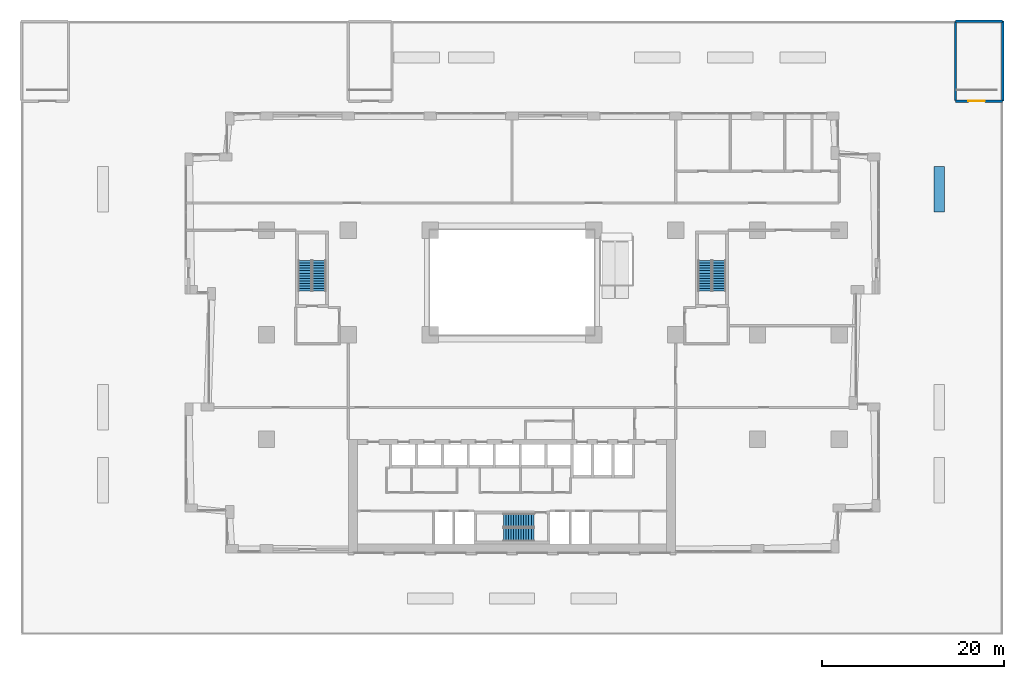
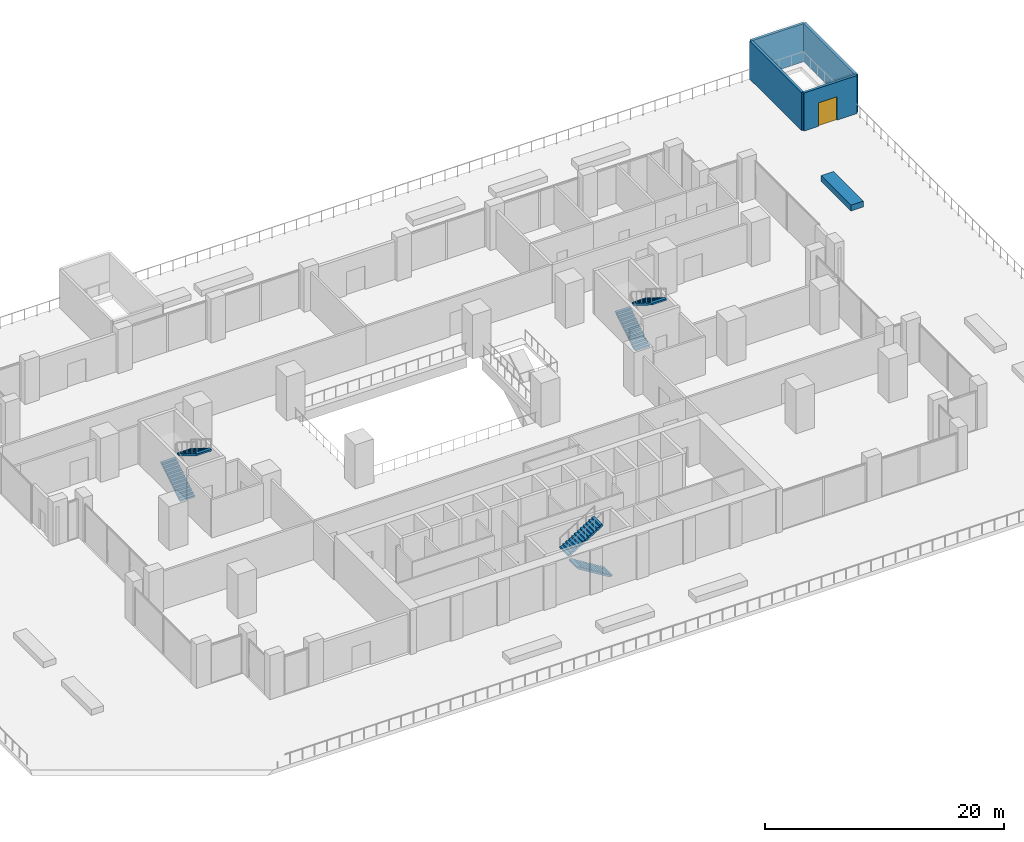
# One storey, part 16 of 19: 6 stair flights, 5 walls, 1 door, 1 opening, 3 elements without a shape of their own.
"""IFC4 building model written with IfcOpenShell, lengths in metres."""

import ifcopenshell
import ifcopenshell.guid

model = None  # the IFC model being written
_history = None  # IfcOwnerHistory: only IFC2X3 demands one
_inside = {}  # id of a spatial element -> (the spatial element, [elements in it])
_under = {}  # id of a project, library or spatial element -> (it, [spatial elements below it])
_declared = {}  # id of a project -> (the project, [libraries it declares])
_typed = {}  # id of a type object -> (the type object, [elements of that type])
_made_of = {}  # id of a material, layer set ... -> (it, [elements and type objects made of it])


def new_model(schema):
    """Start an empty IFC model of exactly this schema.

    Asked for "IFC4X3", IfcOpenShell would pick the latest addendum, in which some entities
    have other attributes; the version numbers below select the first issue.
    IFC2X3 requires an IfcOwnerHistory on every rooted entity: one is made here for all.
    """
    global model, _history
    if schema == "IFC4X3":
        model = ifcopenshell.file(schema_version=(4, 3, 0, 0))
    else:
        model = ifcopenshell.file(schema=schema)
    _inside.clear()
    _under.clear()
    _declared.clear()
    _typed.clear()
    _made_of.clear()
    _history = None
    if model.schema == "IFC2X3":
        org = make("IfcOrganization", Name="unknown")
        user = make(
            "IfcPersonAndOrganization",
            ThePerson=make("IfcPerson", FamilyName="unknown"),
            TheOrganization=org,
        )
        app = make(
            "IfcApplication",
            ApplicationDeveloper=org,
            Version="unknown",
            ApplicationFullName="unknown",
            ApplicationIdentifier="unknown",
        )
        _history = make(
            "IfcOwnerHistory",
            OwningUser=user,
            OwningApplication=app,
            ChangeAction="ADDED",
            CreationDate=0,
        )
    return model


def make(cls, **values):
    """One entity of the class cls with the attributes given. An attribute that is None is left unset."""
    return model.create_entity(
        cls, **{name: value for name, value in values.items() if value is not None}
    )


def rooted(cls, **values):
    """An entity with a GlobalId (a new one), such as an element, a storey or a relation."""
    return make(cls, GlobalId=ifcopenshell.guid.new(), OwnerHistory=_history, **values)


def si_unit(unit_type, name, prefix=None):
    """IfcSIUnit, for example si_unit("LENGTHUNIT", "METRE", prefix="MILLI")."""
    return make("IfcSIUnit", UnitType=unit_type, Prefix=prefix, Name=name)


def assignment(units):
    """IfcUnitAssignment: the units of a project."""
    return None if units is None else make("IfcUnitAssignment", Units=units)


def point(xyz):
    """IfcCartesianPoint."""
    return None if xyz is None else make("IfcCartesianPoint", Coordinates=xyz)


def direction(xyz):
    """IfcDirection."""
    return None if xyz is None else make("IfcDirection", DirectionRatios=xyz)


def frame(location, z_axis=None, x_axis=None):
    """IfcAxis2Placement3D, a coordinate frame: its origin and axes. An axis left out is left unset."""
    return make(
        "IfcAxis2Placement3D",
        Location=point(location),
        Axis=direction(z_axis),
        RefDirection=direction(x_axis),
    )


def frame_2d(location, x_axis=None):
    """IfcAxis2Placement2D, a coordinate frame in the plane: its origin and x axis."""
    return make(
        "IfcAxis2Placement2D", Location=point(location), RefDirection=direction(x_axis)
    )


def origin():
    """The frame at (0, 0, 0) with its axes left unset."""
    return frame((0.0, 0.0, 0.0))


def place(relative_to, where):
    """IfcLocalPlacement: puts the frame where relative to a parent placement (None: the world)."""
    return make(
        "IfcLocalPlacement", PlacementRelTo=relative_to, RelativePlacement=where
    )


def context(
    kind, dimensions, precision=None, world=None, true_north=None, identifier=None
):
    """IfcGeometricRepresentationContext, for example the 3D "Model" context."""
    return make(
        "IfcGeometricRepresentationContext",
        ContextIdentifier=identifier,
        ContextType=kind,
        CoordinateSpaceDimension=dimensions,
        Precision=precision,
        WorldCoordinateSystem=world,
        TrueNorth=true_north,
    )


def subcontext(parent, identifier, kind, view, scale=None):
    """IfcGeometricRepresentationSubContext, for example "Body" below "Model"."""
    return make(
        "IfcGeometricRepresentationSubContext",
        ContextIdentifier=identifier,
        ContextType=kind,
        ParentContext=parent,
        TargetScale=scale,
        TargetView=view,
    )


def project(units=None, contexts=None):
    """IfcProject with its units and contexts."""
    return rooted(
        "IfcProject",
        Name="project",
        RepresentationContexts=contexts,
        UnitsInContext=assignment(units),
    )


def spatial(cls, under=None, at=None, **own):
    """A site, building, storey or space (cls), placed at a placement, below another one or the project."""
    s = rooted(cls, ObjectPlacement=at, **own)
    if under is not None:
        _under.setdefault(under.id(), (under, []))[1].append(s)
    return s


def polyline(points):
    """IfcPolyline through the points."""
    return make("IfcPolyline", Points=[point(p) for p in points])


def profile(cls, at=None, kind="AREA", **sizes):
    """A parametric profile (cls). Its sizes go by their IFC names, for example OverallWidth=200.0."""
    return make(cls, ProfileType=kind, Position=at, **sizes)


def rectangle(**sizes):
    """IfcRectangleProfileDef."""
    return profile("IfcRectangleProfileDef", **sizes)


def outline(outer, holes=None, kind="AREA"):
    """IfcArbitraryClosedProfileDef: a profile drawn as a closed curve; with holes, ...WithVoids."""
    if holes is None:
        return make("IfcArbitraryClosedProfileDef", ProfileType=kind, OuterCurve=outer)
    return make(
        "IfcArbitraryProfileDefWithVoids",
        ProfileType=kind,
        OuterCurve=outer,
        InnerCurves=holes,
    )


def extrude(swept, where, along, depth):
    """IfcExtrudedAreaSolid: the profile swept, set in the frame where, extruded along a direction by depth."""
    return make(
        "IfcExtrudedAreaSolid",
        SweptArea=swept,
        Position=where,
        ExtrudedDirection=direction(along),
        Depth=depth,
    )


def shape(context_of_items, identifier, shape_type, items):
    """IfcShapeRepresentation: the items that make up one representation, for example the "Body"."""
    return make(
        "IfcShapeRepresentation",
        ContextOfItems=context_of_items,
        RepresentationIdentifier=identifier,
        RepresentationType=shape_type,
        Items=items,
    )


def material(Name=None, Category=None):
    """IfcMaterial."""
    return make("IfcMaterial", Name=Name, Category=Category)


def layer(
    of_material, thickness, ventilated=None, Name=None, Category=None, Priority=None
):
    """IfcMaterialLayer: one layer of a wall or slab, of a material (None: an air gap)."""
    return make(
        "IfcMaterialLayer",
        Material=of_material,
        LayerThickness=thickness,
        IsVentilated=ventilated,
        Name=Name,
        Category=Category,
        Priority=Priority,
    )


def layer_set(layers, Name=None):
    """IfcMaterialLayerSet."""
    return make("IfcMaterialLayerSet", MaterialLayers=layers, LayerSetName=Name)


def made_of(thing, what):
    """Note that an element or type object is made of a material, layer set ...; save() writes the relation."""
    if what is not None:
        _made_of.setdefault(what.id(), (what, []))[1].append(thing)
    return thing


def type_object(cls, material=None, **own):
    """A type object (cls), such as IfcWallType, which elements share."""
    return made_of(rooted(cls, **own), material)


def element(
    cls,
    number,
    at=None,
    inside=None,
    cuts=None,
    type_object=None,
    material=None,
    context=None,
    identifier="Body",
    shape_type=None,
    held_by="IfcProductDefinitionShape",
    body=None,
    shapes=None,
    **own,
):
    """One element of the class cls, such as IfcWall. Its Tag is "e" and its number.

    at: its placement. inside: the storey or other place that contains it. cuts: it is an
    opening in that element (IfcRelVoidsElement). A single representation is given by context,
    identifier, shape_type and body (its items); several are given by shapes. held_by: the class
    of the entity that holds the representations. save() writes the other relations.
    """
    e = rooted(cls, Tag="e%d" % number, ObjectPlacement=at, **own)
    if body is not None:
        shapes = [shape(context, identifier, shape_type, body)]
    if shapes is not None:
        e.Representation = make(held_by, Representations=shapes)
    if inside is not None:
        _inside.setdefault(inside.id(), (inside, []))[1].append(e)
    if cuts is not None:
        rooted(
            "IfcRelVoidsElement", RelatingBuildingElement=cuts, RelatedOpeningElement=e
        )
    if type_object is not None:
        _typed.setdefault(type_object.id(), (type_object, []))[1].append(e)
    return made_of(e, material)


def fill(opening, filler):
    """IfcRelFillsElement: the door or window that sits in an opening."""
    return rooted(
        "IfcRelFillsElement",
        RelatingOpeningElement=opening,
        RelatedBuildingElement=filler,
    )


def aggregate(whole, parts):
    """IfcRelAggregates: a whole, such as a stair, and the parts it consists of."""
    return rooted("IfcRelAggregates", RelatingObject=whole, RelatedObjects=parts)


def save(model, path):
    """Write the relations noted so far, then the file.

    IfcRelAggregates (storeys below a building ...), IfcRelContainedInSpatialStructure (elements
    in a storey), IfcRelDefinesByType, IfcRelAssociatesMaterial and IfcRelDeclares: one each for
    every whole, place, type object, material and project.
    """
    for whole, parts in _under.values():
        aggregate(whole, parts)
    for where, things in _inside.values():
        rooted(
            "IfcRelContainedInSpatialStructure",
            RelatedElements=things,
            RelatingStructure=where,
        )
    for kind, things in _typed.values():
        rooted("IfcRelDefinesByType", RelatedObjects=things, RelatingType=kind)
    for what, things in _made_of.values():
        rooted("IfcRelAssociatesMaterial", RelatedObjects=things, RelatingMaterial=what)
    for by, libraries in _declared.values():
        rooted("IfcRelDeclares", RelatingContext=by, RelatedDefinitions=libraries)
    model.write(path)


model = new_model("IFC4")

# Units and contexts
model_context = context("Model", 3, precision=1e-05, world=origin(), true_north=direction((0.0, 1.0)))
body_context = subcontext(model_context, "Body", "Model", "MODEL_VIEW")
ifc_project = project(units=[si_unit("LENGTHUNIT", "METRE"), si_unit("AREAUNIT", "SQUARE_METRE"), si_unit("VOLUMEUNIT", "CUBIC_METRE"), si_unit("PLANEANGLEUNIT", "RADIAN"), si_unit("MASSUNIT", "GRAM", prefix="KILO")], contexts=[model_context])

# Site, building, storey
site_placement = place(None, origin())
site = spatial("IfcSite", under=ifc_project, at=site_placement, CompositionType="ELEMENT")
building_placement = place(site_placement, origin())
building = spatial("IfcBuilding", under=site, at=building_placement, Name="Brigalow Station Residences", CompositionType="ELEMENT")
storey_placement = place(building_placement, frame((0.0, 0.0, 11.0)))
storey = spatial("IfcBuildingStorey", under=building, at=storey_placement, Name="L02", CompositionType="ELEMENT", Elevation=11.0)

# Walls
ifc_material_1 = material(Name="Concrete C50", Category="concrete")
ifc_layer_1 = layer(ifc_material_1, 1.199951171875)
ifc_layer_set_1 = layer_set([ifc_layer_1], Name="PLANTER 1200")
wall_type_1 = type_object("IfcWallType", Name="PLANTER 1200", PredefinedType="USERDEFINED", material=ifc_layer_set_1)
wall_1_placement = place(storey_placement, frame((83.0, 37.5, 0.0), z_axis=(0.0, 0.0, 1.0), x_axis=(0.0, 1.0, 0.0)))
element("IfcWall", 1, at=wall_1_placement, inside=storey, type_object=wall_type_1, Name="Planter TE3", ObjectType="PLANTER", PredefinedType="USERDEFINED", context=body_context, shape_type="SweptSolid", body=[
    extrude(rectangle(XDim=5.0, YDim=1.199951171875, at=frame_2d((2.5, 0.0))), origin(), (0.0, 0.0, 1.0), 0.60009765625),
])
ifc_material_2 = material(Name="Concrete C50", Category="concrete")
ifc_layer_2 = layer(ifc_material_2, 0.25)
ifc_layer_set_2 = layer_set([ifc_layer_2], Name="STAIR ROOF WALL 250")
wall_type_2 = type_object("IfcWallType", Name="STAIR ROOF WALL 250", PredefinedType="SOLIDWALL", material=ifc_layer_set_2)
wall_2_placement = place(storey_placement, frame((90.0, 49.699951171875, 0.0), z_axis=(0.0, 0.0, 1.0), x_axis=(0.0, 1.0, 0.0)))
element("IfcWall", 2, at=wall_2_placement, inside=storey, type_object=wall_type_2, Name="Stair Roof Wall 250 Exit Stair St-5 / TERRACE", PredefinedType="SOLIDWALL", context=body_context, shape_type="SweptSolid", body=[
    extrude(rectangle(XDim=8.800048828125, YDim=0.25, at=frame_2d((4.39990234375, 0.0))), origin(), (0.0, 0.0, 1.0), 3.89990234375),
])
wall_3_placement = place(storey_placement, frame((84.800048828125, 58.5, 0.0), z_axis=(0.0, 0.0, 1.0), x_axis=(1.0, 0.0, 0.0)))
element("IfcWall", 3, at=wall_3_placement, inside=storey, type_object=wall_type_2, Name="Stair Roof Wall 250 Exit Stair St-5 / TERRACE", PredefinedType="SOLIDWALL", context=body_context, shape_type="SweptSolid", body=[
    extrude(rectangle(XDim=5.155029296875, YDim=0.25, at=frame_2d((2.57763671875, 0.0))), origin(), (0.0, 0.0, 1.0), 3.89990234375),
])

# Wall, opening, door
wall_4_placement = place(storey_placement, frame((84.800048828125, 49.699951171875, 0.0), z_axis=(0.0, 0.0, 1.0), x_axis=(1.0, 0.0, 0.0)))
wall_4 = element("IfcWall", 4, at=wall_4_placement, inside=storey, type_object=wall_type_2, Name="Stair Roof Wall 250 Exit Stair St-5 / TERRACE", PredefinedType="SOLIDWALL", context=body_context, shape_type="SweptSolid", body=[
    extrude(rectangle(XDim=5.155029296875, YDim=0.25, at=frame_2d((2.57763671875, 0.0))), origin(), (0.0, 0.0, 1.0), 3.89990234375),
])
opening_placement = place(wall_4_placement, frame((1.4130859375, 0.0, 0.0)))
opening = element("IfcOpeningElement", 5, at=opening_placement, cuts=wall_4, Name="Opening D-7402", PredefinedType="OPENING", context=body_context, shape_type="SweptSolid", body=[
    extrude(rectangle(XDim=1.800048828125, YDim=2.39990234375, at=frame_2d((0.89990234375, 1.199951171875))), frame((0.0, 0.135009765625, 0.0), z_axis=(0.0, -1.0, 0.0), x_axis=(1.0, 0.0, 0.0)), (0.0, 0.0, 1.0), 0.27001953125),
])
ifc_material_3 = material(Name="Steel fire door leaves in steel frame", Category="steel")
door_type = type_object("IfcDoorType", Name="DOOR DOUBLE 1800 FIRE", OperationType="DOUBLE_DOOR_SINGLE_SWING", PredefinedType="DOOR", material=ifc_material_3)
door_placement = place(opening_placement, frame((1.800048828125, 0.0, 0.0), z_axis=(0.0, 0.0, 1.0), x_axis=(-1.0, 0.0, 0.0)))
door = element("IfcDoor", 6, at=door_placement, inside=storey, type_object=door_type, Name="Exit stair ST-5 terrace door", OperationType="DOUBLE_DOOR_SINGLE_SWING", OverallHeight=2.39990234375, OverallWidth=1.800048828125, PredefinedType="DOOR", context=body_context, shape_type="SweptSolid", body=[
    extrude(rectangle(XDim=1.800048828125, YDim=2.39990234375, at=frame_2d((0.89990234375, 1.199951171875))), frame((0.0, 0.02490234375, 0.0), z_axis=(0.0, -1.0, 0.0), x_axis=(1.0, 0.0, 0.0)), (0.0, 0.0, 1.0), 0.050048828125),
])
fill(opening, door)

# Wall
wall_5_placement = place(storey_placement, frame((84.800048828125, 49.7451171875, 0.0), z_axis=(0.0, 0.0, 1.0), x_axis=(0.0, 1.0, 0.0)))
element("IfcWall", 7, at=wall_5_placement, inside=storey, type_object=wall_type_2, Name="Stair Roof Wall 250 Exit Stair St-5 / TERRACE", PredefinedType="SOLIDWALL", context=body_context, shape_type="SweptSolid", body=[
    extrude(rectangle(XDim=8.7099609375, YDim=0.25, at=frame_2d((4.35498046875, 0.0))), origin(), (0.0, 0.0, 1.0), 3.89990234375),
])

# Stair, stair flights
ifc_material_4 = material(Name="Concrete C50", Category="concrete")
stair_type = type_object("IfcStairType", Name="EXIT STAIR 1400 2 FLIGHT", PredefinedType="HALF_TURN_STAIR", material=ifc_material_4)
stair_1_placement = place(storey_placement, origin())
stair_1 = element("IfcStair", 8, at=stair_1_placement, inside=storey, type_object=stair_type, Name="EXIT STAIR S2 L02", PredefinedType="HALF_TURN_STAIR")
ifc_material_5 = material(Name="Concrete C50", Category="concrete")
stair_flight_type = type_object("IfcStairFlightType", Name="STAIR FLIGHT 1400", PredefinedType="STRAIGHT", material=ifc_material_5)
stair_flight_1_placement = place(storey_placement, frame((38.39990234375, 2.0, 0.0), z_axis=(0.0, 0.0, 1.0), x_axis=(-1.0, 0.0, 0.0)))
stair_flight_1 = element("IfcStairFlight", 9, at=stair_flight_1_placement, type_object=stair_flight_type, Name="ST-2 flight 1", NumberOfRisers=13, NumberOfTreads=12, PredefinedType="STRAIGHT", RiserHeight=0.173076923, TreadLength=0.28, context=body_context, shape_type="SweptSolid", body=[
    extrude(outline(polyline([(0.0, 0.0), (0.0, 0.173095703125), (0.280029296875, 0.173095703125), (0.280029296875, 0.34619140625), (0.56005859375, 0.34619140625), (0.56005859375, 0.519287109375), (0.840087890625, 0.519287109375), (0.840087890625, 0.6923828125), (1.1201171875, 0.6923828125), (1.1201171875, 0.865478515625), (1.39990234375, 0.865478515625), (1.39990234375, 1.03857421875), (1.679931640625, 1.03857421875), (1.679931640625, 1.21142578125), (1.9599609375, 1.21142578125), (1.9599609375, 1.384521484375), (2.239990234375, 1.384521484375), (2.239990234375, 1.5576171875), (2.52001953125, 1.5576171875), (2.52001953125, 1.730712890625), (2.800048828125, 1.730712890625), (2.800048828125, 1.90380859375), (3.080078125, 1.90380859375), (3.080078125, 2.076904296875), (3.360107421875, 2.076904296875), (3.360107421875, 2.25), (3.360107421875, 1.900634765625), (0.28515625, 0.0), (0.0, 0.0)])), frame((0.0, 0.699951171875, 0.0), z_axis=(0.0, -1.0, 0.0), x_axis=(1.0, 0.0, 0.0)), (0.0, 0.0, 1.0), 1.39990234375),
])
stair_flight_2_placement = place(storey_placement, frame((35.0400390625, 3.60009765625, 2.25), z_axis=(0.0, 0.0, 1.0), x_axis=(1.0, 0.0, 0.0)))
stair_flight_2 = element("IfcStairFlight", 10, at=stair_flight_2_placement, type_object=stair_flight_type, Name="ST-2 flight 2", NumberOfRisers=13, NumberOfTreads=12, PredefinedType="STRAIGHT", RiserHeight=0.173076923, TreadLength=0.28, context=body_context, shape_type="SweptSolid", body=[
    extrude(outline(polyline([(0.0, 0.0), (0.0, 0.173095703125), (0.280029296875, 0.173095703125), (0.280029296875, 0.34619140625), (0.56005859375, 0.34619140625), (0.56005859375, 0.519287109375), (0.840087890625, 0.519287109375), (0.840087890625, 0.6923828125), (1.1201171875, 0.6923828125), (1.1201171875, 0.865478515625), (1.39990234375, 0.865478515625), (1.39990234375, 1.03857421875), (1.679931640625, 1.03857421875), (1.679931640625, 1.21142578125), (1.9599609375, 1.21142578125), (1.9599609375, 1.384521484375), (2.239990234375, 1.384521484375), (2.239990234375, 1.5576171875), (2.52001953125, 1.5576171875), (2.52001953125, 1.730712890625), (2.800048828125, 1.730712890625), (2.800048828125, 1.90380859375), (3.080078125, 1.90380859375), (3.080078125, 2.076904296875), (3.360107421875, 2.076904296875), (3.360107421875, 2.25), (3.360107421875, 1.900634765625), (0.28515625, 0.0), (0.0, 0.0)])), frame((0.0, 0.699951171875, 0.0), z_axis=(0.0, -1.0, 0.0), x_axis=(1.0, 0.0, 0.0)), (0.0, 0.0, 1.0), 1.39990234375),
])
aggregate(stair_1, [stair_flight_1, stair_flight_2])

stair_2_placement = place(storey_placement, origin())
stair_2 = element("IfcStair", 11, at=stair_2_placement, inside=storey, type_object=stair_type, Name="EXIT STAIR S1 L02", PredefinedType="HALF_TURN_STAIR")
stair_flight_3_placement = place(storey_placement, frame((13.199951171875, 28.800048828125, 0.0), z_axis=(0.0, 0.0, 1.0), x_axis=(0.0, 1.0, 0.0)))
stair_flight_3 = element("IfcStairFlight", 12, at=stair_flight_3_placement, type_object=stair_flight_type, Name="ST-1 flight 1", NumberOfRisers=13, NumberOfTreads=12, PredefinedType="STRAIGHT", RiserHeight=0.173076923, TreadLength=0.28, context=body_context, shape_type="SweptSolid", body=[
    extrude(outline(polyline([(0.0, 0.0), (0.0, 0.173095703125), (0.280029296875, 0.173095703125), (0.280029296875, 0.34619140625), (0.56005859375, 0.34619140625), (0.56005859375, 0.519287109375), (0.840087890625, 0.519287109375), (0.840087890625, 0.6923828125), (1.1201171875, 0.6923828125), (1.1201171875, 0.865478515625), (1.39990234375, 0.865478515625), (1.39990234375, 1.03857421875), (1.679931640625, 1.03857421875), (1.679931640625, 1.21142578125), (1.9599609375, 1.21142578125), (1.9599609375, 1.384521484375), (2.239990234375, 1.384521484375), (2.239990234375, 1.5576171875), (2.52001953125, 1.5576171875), (2.52001953125, 1.730712890625), (2.800048828125, 1.730712890625), (2.800048828125, 1.90380859375), (3.080078125, 1.90380859375), (3.080078125, 2.076904296875), (3.360107421875, 2.076904296875), (3.360107421875, 2.25), (3.360107421875, 1.900634765625), (0.28515625, 0.0), (0.0, 0.0)])), frame((0.0, 0.699951171875, 0.0), z_axis=(0.0, -1.0, 0.0), x_axis=(1.0, 0.0, 0.0)), (0.0, 0.0, 1.0), 1.39990234375),
])
stair_flight_4_placement = place(storey_placement, frame((14.800048828125, 32.159912109375, 2.25), z_axis=(0.0, 0.0, 1.0), x_axis=(0.0, -1.0, 0.0)))
stair_flight_4 = element("IfcStairFlight", 13, at=stair_flight_4_placement, type_object=stair_flight_type, Name="ST-1 flight 2", NumberOfRisers=13, NumberOfTreads=12, PredefinedType="STRAIGHT", RiserHeight=0.173076923, TreadLength=0.28, context=body_context, shape_type="SweptSolid", body=[
    extrude(outline(polyline([(0.0, 0.0), (0.0, 0.173095703125), (0.280029296875, 0.173095703125), (0.280029296875, 0.34619140625), (0.56005859375, 0.34619140625), (0.56005859375, 0.519287109375), (0.840087890625, 0.519287109375), (0.840087890625, 0.6923828125), (1.1201171875, 0.6923828125), (1.1201171875, 0.865478515625), (1.39990234375, 0.865478515625), (1.39990234375, 1.03857421875), (1.679931640625, 1.03857421875), (1.679931640625, 1.21142578125), (1.9599609375, 1.21142578125), (1.9599609375, 1.384521484375), (2.239990234375, 1.384521484375), (2.239990234375, 1.5576171875), (2.52001953125, 1.5576171875), (2.52001953125, 1.730712890625), (2.800048828125, 1.730712890625), (2.800048828125, 1.90380859375), (3.080078125, 1.90380859375), (3.080078125, 2.076904296875), (3.360107421875, 2.076904296875), (3.360107421875, 2.25), (3.360107421875, 1.900634765625), (0.28515625, 0.0), (0.0, 0.0)])), frame((0.0, 0.699951171875, 0.0), z_axis=(0.0, -1.0, 0.0), x_axis=(1.0, 0.0, 0.0)), (0.0, 0.0, 1.0), 1.39990234375),
])
aggregate(stair_2, [stair_flight_3, stair_flight_4])

stair_3_placement = place(storey_placement, origin())
stair_3 = element("IfcStair", 14, at=stair_3_placement, inside=storey, type_object=stair_type, Name="EXIT STAIR S3 L02", PredefinedType="HALF_TURN_STAIR")
stair_flight_5_placement = place(storey_placement, frame((57.199951171875, 28.800048828125, 0.0), z_axis=(0.0, 0.0, 1.0), x_axis=(0.0, 1.0, 0.0)))
stair_flight_5 = element("IfcStairFlight", 15, at=stair_flight_5_placement, type_object=stair_flight_type, Name="ST-3 flight 1", NumberOfRisers=13, NumberOfTreads=12, PredefinedType="STRAIGHT", RiserHeight=0.173076923, TreadLength=0.28, context=body_context, shape_type="SweptSolid", body=[
    extrude(outline(polyline([(0.0, 0.0), (0.0, 0.173095703125), (0.280029296875, 0.173095703125), (0.280029296875, 0.34619140625), (0.56005859375, 0.34619140625), (0.56005859375, 0.519287109375), (0.840087890625, 0.519287109375), (0.840087890625, 0.6923828125), (1.1201171875, 0.6923828125), (1.1201171875, 0.865478515625), (1.39990234375, 0.865478515625), (1.39990234375, 1.03857421875), (1.679931640625, 1.03857421875), (1.679931640625, 1.21142578125), (1.9599609375, 1.21142578125), (1.9599609375, 1.384521484375), (2.239990234375, 1.384521484375), (2.239990234375, 1.5576171875), (2.52001953125, 1.5576171875), (2.52001953125, 1.730712890625), (2.800048828125, 1.730712890625), (2.800048828125, 1.90380859375), (3.080078125, 1.90380859375), (3.080078125, 2.076904296875), (3.360107421875, 2.076904296875), (3.360107421875, 2.25), (3.360107421875, 1.900634765625), (0.28515625, 0.0), (0.0, 0.0)])), frame((0.0, 0.699951171875, 0.0), z_axis=(0.0, -1.0, 0.0), x_axis=(1.0, 0.0, 0.0)), (0.0, 0.0, 1.0), 1.39990234375),
])
stair_flight_6_placement = place(storey_placement, frame((58.800048828125, 32.159912109375, 2.25), z_axis=(0.0, 0.0, 1.0), x_axis=(0.0, -1.0, 0.0)))
stair_flight_6 = element("IfcStairFlight", 16, at=stair_flight_6_placement, type_object=stair_flight_type, Name="ST-3 flight 2", NumberOfRisers=13, NumberOfTreads=12, PredefinedType="STRAIGHT", RiserHeight=0.173076923, TreadLength=0.28, context=body_context, shape_type="SweptSolid", body=[
    extrude(outline(polyline([(0.0, 0.0), (0.0, 0.173095703125), (0.280029296875, 0.173095703125), (0.280029296875, 0.34619140625), (0.56005859375, 0.34619140625), (0.56005859375, 0.519287109375), (0.840087890625, 0.519287109375), (0.840087890625, 0.6923828125), (1.1201171875, 0.6923828125), (1.1201171875, 0.865478515625), (1.39990234375, 0.865478515625), (1.39990234375, 1.03857421875), (1.679931640625, 1.03857421875), (1.679931640625, 1.21142578125), (1.9599609375, 1.21142578125), (1.9599609375, 1.384521484375), (2.239990234375, 1.384521484375), (2.239990234375, 1.5576171875), (2.52001953125, 1.5576171875), (2.52001953125, 1.730712890625), (2.800048828125, 1.730712890625), (2.800048828125, 1.90380859375), (3.080078125, 1.90380859375), (3.080078125, 2.076904296875), (3.360107421875, 2.076904296875), (3.360107421875, 2.25), (3.360107421875, 1.900634765625), (0.28515625, 0.0), (0.0, 0.0)])), frame((0.0, 0.699951171875, 0.0), z_axis=(0.0, -1.0, 0.0), x_axis=(1.0, 0.0, 0.0)), (0.0, 0.0, 1.0), 1.39990234375),
])
aggregate(stair_3, [stair_flight_5, stair_flight_6])

save(model, "model.ifc")
